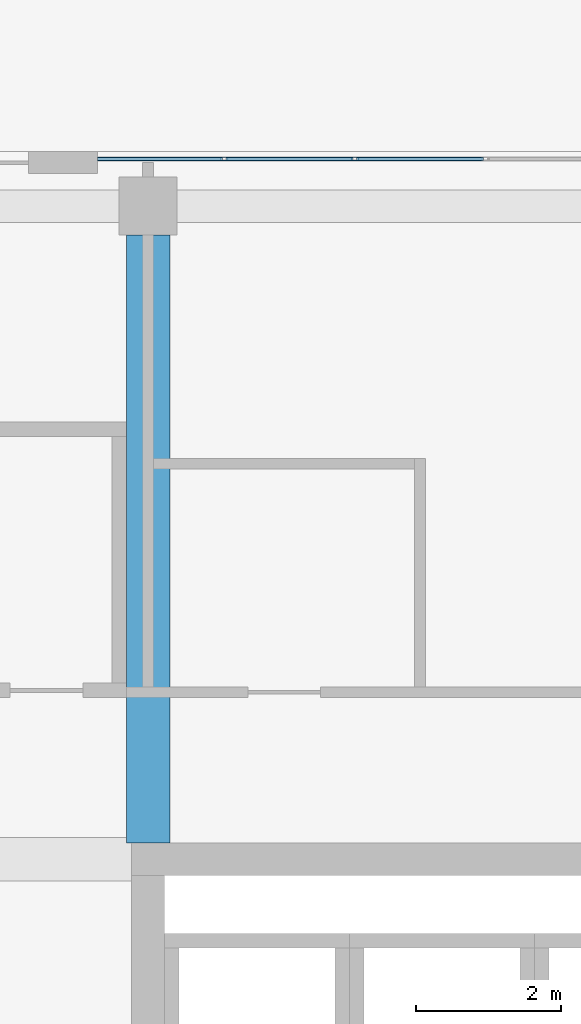
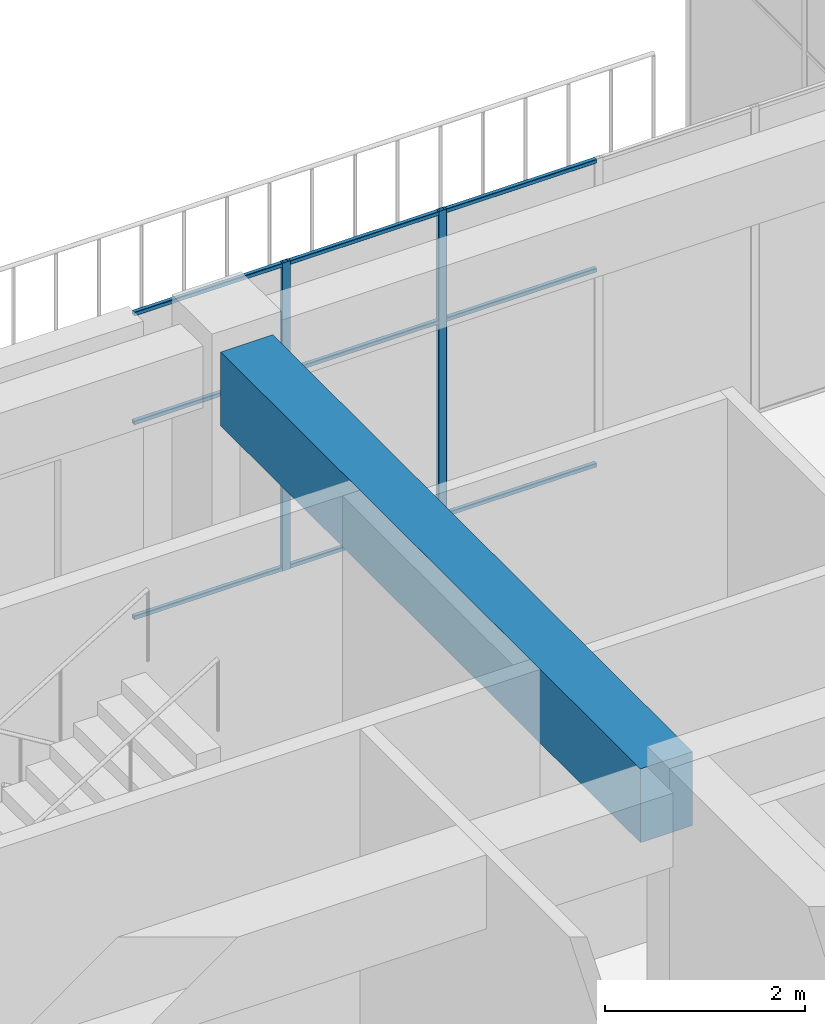
# One storey, part 46 of 81: 11 members, 1 beam, 1 element without a shape of its own.
"""IFC4 building model written with IfcOpenShell, lengths in metres."""

from ifc_helpers import new_model, si_unit, direction, frame, origin, origin_2d, place, context, subcontext, project, spatial, rectangle, hollow_rectangle, extrude, material, layer, layer_set, material_profile, profile_set, type_object, element, aggregate, save


model = new_model("IFC4")

# Units and contexts
model_context = context("Model", 3, precision=1e-05, world=origin(), true_north=direction((0.0, 1.0)))
body_context = subcontext(model_context, "Body", "Model", "MODEL_VIEW")
ifc_project = project(units=[si_unit("LENGTHUNIT", "METRE"), si_unit("AREAUNIT", "SQUARE_METRE"), si_unit("VOLUMEUNIT", "CUBIC_METRE"), si_unit("PLANEANGLEUNIT", "RADIAN"), si_unit("MASSUNIT", "GRAM", prefix="KILO")], contexts=[model_context])

# Site, building, storey
site_placement = place(None, origin())
site = spatial("IfcSite", under=ifc_project, at=site_placement, CompositionType="ELEMENT")
building_placement = place(site_placement, origin())
building = spatial("IfcBuilding", under=site, at=building_placement, Name="Tuart Plaza Theatre", CompositionType="ELEMENT")
storey_placement = place(building_placement, frame((0.0, 0.0, 17.5)))
storey = spatial("IfcBuildingStorey", under=building, at=storey_placement, Name="L04", CompositionType="ELEMENT", Elevation=17.5)

# Beam
ifc_material_1 = material(Name="Concrete N40 (40 MPa)", Category="concrete")
ifc_material_profile_1 = material_profile(ifc_material_1, rectangle(XDim=0.60009765625, YDim=0.89990234375, at=origin_2d()), Name="BEAM 600x900 Concrete N40 (40 MPa)")
ifc_profile_set_1 = profile_set([ifc_material_profile_1], Name="Concrete N40 (40 MPa)")
beam_type = type_object("IfcBeamType", Name="BEAM 600x900 Concrete N40 (40 MPa)", PredefinedType="BEAM", material=ifc_profile_set_1)
beam_placement = place(storey_placement, frame((123.0, 83.22509765625, 3.300048828125), z_axis=(0.0, 1.0, 0.0), x_axis=(-1.0, 0.0, 0.0)))
element("IfcBeam", 1, at=beam_placement, inside=storey, type_object=beam_type, Name="RB218", PredefinedType="BEAM", context=body_context, shape_type="SweptSolid", body=[
    extrude(rectangle(XDim=0.60009765625, YDim=0.89990234375, at=origin_2d()), origin(), (0.0, 0.0, 1.0), 8.375),
])

# Curtain wall, members
ifc_material_2 = material(Name="Aluminium and glass", Category="aluminium")
ifc_layer = layer(ifc_material_2, 0.10009765625)
ifc_layer_set = layer_set([ifc_layer], Name="CURTAIN WALL 1800 module")
curtain_wall_type = type_object("IfcCurtainWallType", Name="CURTAIN WALL 1800 module", PredefinedType="NOTDEFINED", material=ifc_layer_set)
curtain_wall_placement = place(storey_placement, origin())
curtain_wall = element("IfcCurtainWall", 2, at=curtain_wall_placement, inside=storey, type_object=curtain_wall_type, Name="CW84", PredefinedType="NOTDEFINED")
ifc_material_3 = material(Name="Aluminium 6063-T5", Category="aluminium")
ifc_material_profile_2 = material_profile(ifc_material_3, hollow_rectangle(XDim=0.050048828125, YDim=0.10009765625, WallThickness=0.00390625, InnerFilletRadius=0.00390625, OuterFilletRadius=0.008056640625, at=origin_2d()), Name="RHS 100x50x4")
ifc_profile_set_2 = profile_set([ifc_material_profile_2], Name="Aluminium 6063-T5")
member_type_1 = type_object("IfcMemberType", Name="MULLION RHS 100x50x4", PredefinedType="MULLION", material=ifc_profile_set_2)
member_1_placement = place(storey_placement, frame((125.85009765625, 92.64990234375, 0.0), z_axis=(0.0, 0.0, 1.0), x_axis=(0.0, -1.0, 0.0)))
member_1 = element("IfcMember", 3, at=member_1_placement, type_object=member_type_1, Name="CW84 mullion 4", PredefinedType="MULLION", context=body_context, shape_type="SweptSolid", body=[
    extrude(hollow_rectangle(XDim=0.050048828125, YDim=0.10009765625, WallThickness=0.00390625, InnerFilletRadius=0.00390625, OuterFilletRadius=0.008056640625, at=origin_2d()), origin(), (0.0, 0.0, 1.0), 3.75),
])
member_2_placement = place(storey_placement, frame((124.050048828125, 92.64990234375, 0.0), z_axis=(0.0, 0.0, 1.0), x_axis=(0.0, -1.0, 0.0)))
member_2 = element("IfcMember", 4, at=member_2_placement, type_object=member_type_1, Name="CW84 mullion 5", PredefinedType="MULLION", context=body_context, shape_type="SweptSolid", body=[
    extrude(hollow_rectangle(XDim=0.050048828125, YDim=0.10009765625, WallThickness=0.00390625, InnerFilletRadius=0.00390625, OuterFilletRadius=0.008056640625, at=origin_2d()), origin(), (0.0, 0.0, 1.0), 3.75),
])
ifc_material_4 = material(Name="Aluminium 6063-T5", Category="aluminium")
ifc_material_profile_3 = material_profile(ifc_material_4, hollow_rectangle(XDim=0.050048828125, YDim=0.050048828125, WallThickness=0.00390625, InnerFilletRadius=0.00390625, OuterFilletRadius=0.008056640625, at=origin_2d()), Name="RHS 50x50x4")
ifc_profile_set_3 = profile_set([ifc_material_profile_3], Name="Aluminium 6063-T5")
member_type_2 = type_object("IfcMemberType", Name="TRANSOM RHS 50x50x4", PredefinedType="USERDEFINED", material=ifc_profile_set_3)
member_3_placement = place(storey_placement, frame((127.625, 92.64990234375, 0.02490234375), z_axis=(-1.0, 0.0, 0.0), x_axis=(0.0, -1.0, 0.0)))
member_3 = element("IfcMember", 5, at=member_3_placement, type_object=member_type_2, Name="CW84 transom 3.1", ObjectType="TRANSOM", PredefinedType="USERDEFINED", context=body_context, shape_type="SweptSolid", body=[
    extrude(hollow_rectangle(XDim=0.050048828125, YDim=0.050048828125, WallThickness=0.00390625, InnerFilletRadius=0.00390625, OuterFilletRadius=0.008056640625, at=origin_2d()), origin(), (0.0, 0.0, 1.0), 1.75),
])
member_4_placement = place(storey_placement, frame((127.625, 92.64990234375, 2.39990234375), z_axis=(-1.0, 0.0, 0.0), x_axis=(0.0, -1.0, 0.0)))
member_4 = element("IfcMember", 6, at=member_4_placement, type_object=member_type_2, Name="CW84 transom 3.2", ObjectType="TRANSOM", PredefinedType="USERDEFINED", context=body_context, shape_type="SweptSolid", body=[
    extrude(hollow_rectangle(XDim=0.050048828125, YDim=0.050048828125, WallThickness=0.00390625, InnerFilletRadius=0.00390625, OuterFilletRadius=0.008056640625, at=origin_2d()), origin(), (0.0, 0.0, 1.0), 1.75),
])
member_5_placement = place(storey_placement, frame((127.625, 92.64990234375, 3.72509765625), z_axis=(-1.0, 0.0, 0.0), x_axis=(0.0, -1.0, 0.0)))
member_5 = element("IfcMember", 7, at=member_5_placement, type_object=member_type_2, Name="CW84 transom 3.3", ObjectType="TRANSOM", PredefinedType="USERDEFINED", context=body_context, shape_type="SweptSolid", body=[
    extrude(hollow_rectangle(XDim=0.050048828125, YDim=0.050048828125, WallThickness=0.00390625, InnerFilletRadius=0.00390625, OuterFilletRadius=0.008056640625, at=origin_2d()), origin(), (0.0, 0.0, 1.0), 1.75),
])
member_6_placement = place(storey_placement, frame((125.824951171875, 92.64990234375, 0.02490234375), z_axis=(-1.0, 0.0, 0.0), x_axis=(0.0, -1.0, 0.0)))
member_6 = element("IfcMember", 8, at=member_6_placement, type_object=member_type_2, Name="CW84 transom 4.1", ObjectType="TRANSOM", PredefinedType="USERDEFINED", context=body_context, shape_type="SweptSolid", body=[
    extrude(hollow_rectangle(XDim=0.050048828125, YDim=0.050048828125, WallThickness=0.00390625, InnerFilletRadius=0.00390625, OuterFilletRadius=0.008056640625, at=origin_2d()), origin(), (0.0, 0.0, 1.0), 1.75),
])
member_7_placement = place(storey_placement, frame((125.824951171875, 92.64990234375, 2.39990234375), z_axis=(-1.0, 0.0, 0.0), x_axis=(0.0, -1.0, 0.0)))
member_7 = element("IfcMember", 9, at=member_7_placement, type_object=member_type_2, Name="CW84 transom 4.2", ObjectType="TRANSOM", PredefinedType="USERDEFINED", context=body_context, shape_type="SweptSolid", body=[
    extrude(hollow_rectangle(XDim=0.050048828125, YDim=0.050048828125, WallThickness=0.00390625, InnerFilletRadius=0.00390625, OuterFilletRadius=0.008056640625, at=origin_2d()), origin(), (0.0, 0.0, 1.0), 1.75),
])
member_8_placement = place(storey_placement, frame((125.824951171875, 92.64990234375, 3.72509765625), z_axis=(-1.0, 0.0, 0.0), x_axis=(0.0, -1.0, 0.0)))
member_8 = element("IfcMember", 10, at=member_8_placement, type_object=member_type_2, Name="CW84 transom 4.3", ObjectType="TRANSOM", PredefinedType="USERDEFINED", context=body_context, shape_type="SweptSolid", body=[
    extrude(hollow_rectangle(XDim=0.050048828125, YDim=0.050048828125, WallThickness=0.00390625, InnerFilletRadius=0.00390625, OuterFilletRadius=0.008056640625, at=origin_2d()), origin(), (0.0, 0.0, 1.0), 1.75),
])
member_9_placement = place(storey_placement, frame((124.02490234375, 92.64990234375, 0.02490234375), z_axis=(-1.0, 0.0, 0.0), x_axis=(0.0, -1.0, 0.0)))
member_9 = element("IfcMember", 11, at=member_9_placement, type_object=member_type_2, Name="CW84 transom 5.1", ObjectType="TRANSOM", PredefinedType="USERDEFINED", context=body_context, shape_type="SweptSolid", body=[
    extrude(hollow_rectangle(XDim=0.050048828125, YDim=0.050048828125, WallThickness=0.00390625, InnerFilletRadius=0.00390625, OuterFilletRadius=0.008056640625, at=origin_2d()), origin(), (0.0, 0.0, 1.0), 1.724853515625),
])
member_10_placement = place(storey_placement, frame((124.02490234375, 92.64990234375, 2.39990234375), z_axis=(-1.0, 0.0, 0.0), x_axis=(0.0, -1.0, 0.0)))
member_10 = element("IfcMember", 12, at=member_10_placement, type_object=member_type_2, Name="CW84 transom 5.2", ObjectType="TRANSOM", PredefinedType="USERDEFINED", context=body_context, shape_type="SweptSolid", body=[
    extrude(hollow_rectangle(XDim=0.050048828125, YDim=0.050048828125, WallThickness=0.00390625, InnerFilletRadius=0.00390625, OuterFilletRadius=0.008056640625, at=origin_2d()), origin(), (0.0, 0.0, 1.0), 1.724853515625),
])
member_11_placement = place(storey_placement, frame((124.02490234375, 92.64990234375, 3.72509765625), z_axis=(-1.0, 0.0, 0.0), x_axis=(0.0, -1.0, 0.0)))
member_11 = element("IfcMember", 13, at=member_11_placement, type_object=member_type_2, Name="CW84 transom 5.3", ObjectType="TRANSOM", PredefinedType="USERDEFINED", context=body_context, shape_type="SweptSolid", body=[
    extrude(hollow_rectangle(XDim=0.050048828125, YDim=0.050048828125, WallThickness=0.00390625, InnerFilletRadius=0.00390625, OuterFilletRadius=0.008056640625, at=origin_2d()), origin(), (0.0, 0.0, 1.0), 1.724853515625),
])
aggregate(curtain_wall, [member_1, member_2, member_3, member_4, member_5, member_6, member_7, member_8, member_9, member_10, member_11])

save(model, "model.ifc")
